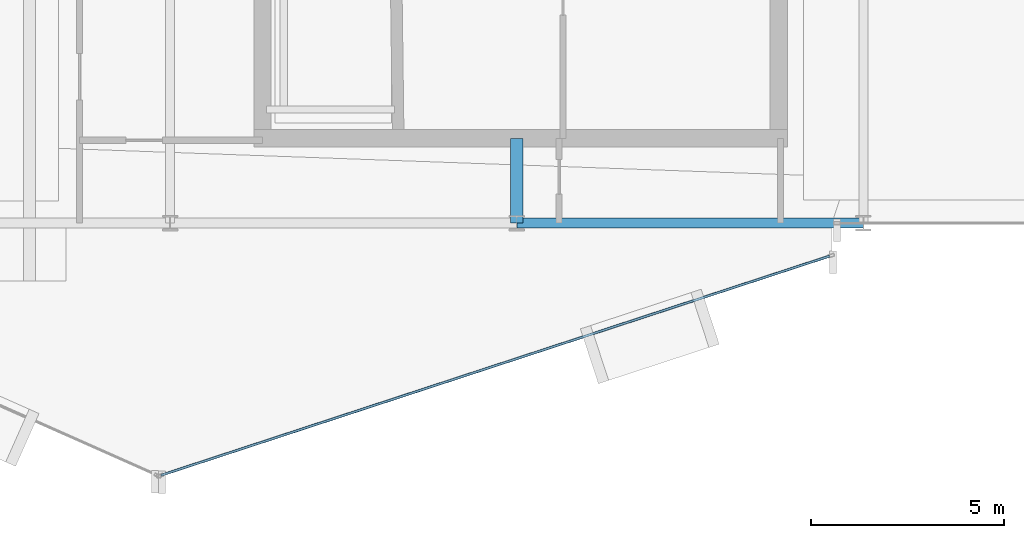
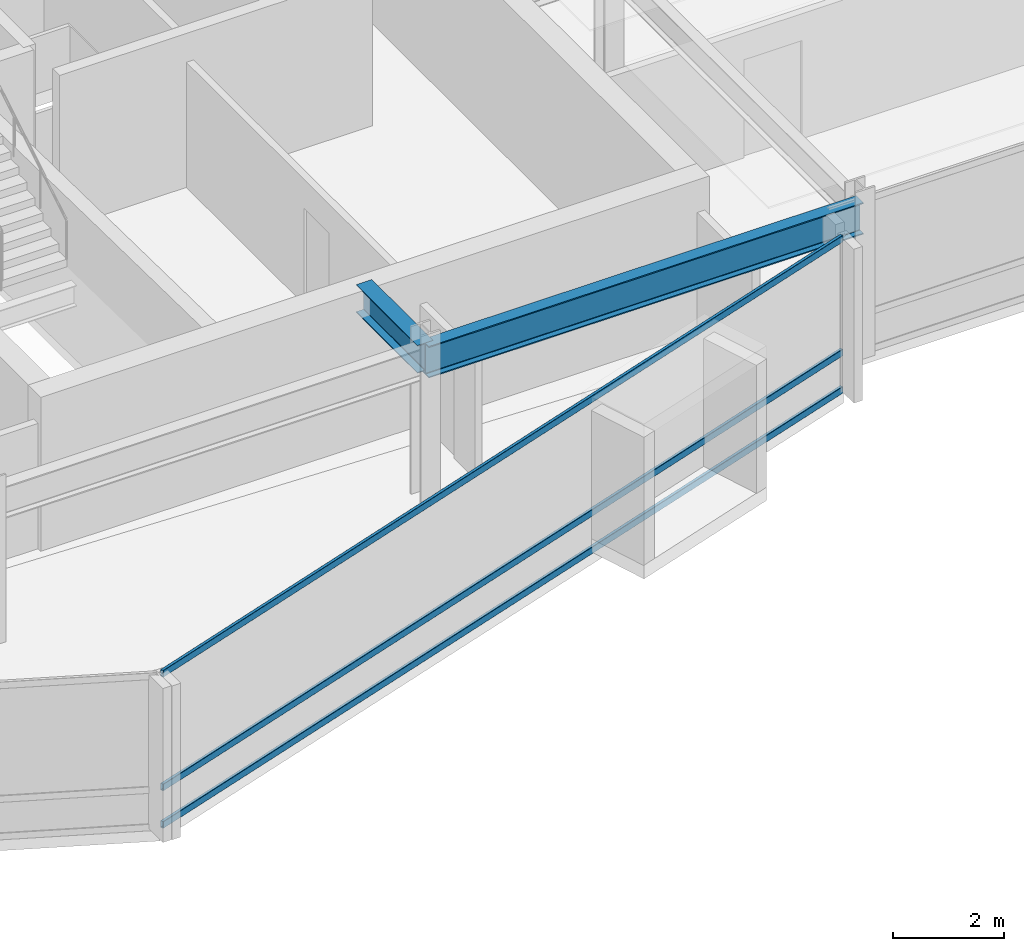
# One storey, part 9 of 27: 3 members, 2 beams, 1 element without a shape of its own.
"""IFC4 building model written with IfcOpenShell, lengths in metres."""

from ifc_helpers import new_model, si_unit, direction, frame, origin, origin_2d, place, context, subcontext, project, spatial, hollow_rectangle, i_section, extrude, material, layer, layer_set, material_profile, profile_set, type_object, element, aggregate, save


model = new_model("IFC4")

# Units and contexts
model_context = context("Model", 3, precision=1e-05, world=origin(), true_north=direction((0.0, 1.0)))
body_context = subcontext(model_context, "Body", "Model", "MODEL_VIEW")
ifc_project = project(units=[si_unit("LENGTHUNIT", "METRE"), si_unit("AREAUNIT", "SQUARE_METRE"), si_unit("VOLUMEUNIT", "CUBIC_METRE"), si_unit("PLANEANGLEUNIT", "RADIAN"), si_unit("MASSUNIT", "GRAM", prefix="KILO")], contexts=[model_context])

# Site, building, storey
site_placement = place(None, origin())
site = spatial("IfcSite", under=ifc_project, at=site_placement, CompositionType="ELEMENT")
building_placement = place(site_placement, origin())
building = spatial("IfcBuilding", under=site, at=building_placement, Name="Solvaryn Broadcast Tower", CompositionType="ELEMENT")
storey_placement = place(building_placement, frame((0.0, 0.0, 232.10009765625)))
storey = spatial("IfcBuildingStorey", under=building, at=storey_placement, Name="L58", CompositionType="ELEMENT", Elevation=232.10009765625)

# Beams
ifc_material_1 = material(Name="Steel ASTM A992 Grade 50", Category="steel")
ifc_material_profile_1 = material_profile(ifc_material_1, i_section(OverallWidth=0.323974609375, OverallDepth=0.611083984375, WebThickness=0.0126953125, FlangeThickness=0.01904296875, FilletRadius=0.014892578125, at=origin_2d()))
ifc_profile_set_1 = profile_set([ifc_material_profile_1], Name="Steel ASTM A992 Grade 50")
beam_type_1 = type_object("IfcBeamType", Name="BM-B1-W24X104", PredefinedType="BEAM", material=ifc_profile_set_1)
beam_1_placement = place(storey_placement, frame((36.0, 9.0, 3.064453125), z_axis=(0.0, 1.0, 0.0), x_axis=(-1.0, 0.0, 0.0)))
element("IfcBeam", 1, at=beam_1_placement, inside=storey, type_object=beam_type_1, Name="L58 Core Tie Beam CTE1", PredefinedType="BEAM", context=body_context, shape_type="SweptSolid", body=[
    extrude(i_section(OverallWidth=0.323974609375, OverallDepth=0.611083984375, WebThickness=0.0126953125, FlangeThickness=0.01904296875, FilletRadius=0.014892578125, at=origin_2d()), origin(), (0.0, 0.0, 1.0), 2.199951171875),
])
ifc_material_2 = material(Name="Steel ASTM A992 Grade 50", Category="steel")
ifc_material_profile_2 = material_profile(ifc_material_2, i_section(OverallWidth=0.256103515625, OverallDepth=0.693115234375, WebThickness=0.014404296875, FlangeThickness=0.023681640625, FilletRadius=0.01611328125, at=origin_2d()))
ifc_profile_set_2 = profile_set([ifc_material_profile_2], Name="Steel ASTM A992 Grade 50")
beam_type_2 = type_object("IfcBeamType", Name="BM-SP3-W27X114", PredefinedType="USERDEFINED", material=ifc_profile_set_2)
beam_2_placement = place(storey_placement, frame((36.0, 9.0, 3.0234375), z_axis=(1.0, 0.0, 0.0), x_axis=(0.0, 1.0, 0.0)))
element("IfcBeam", 2, at=beam_2_placement, inside=storey, type_object=beam_type_2, Name="L58 Spandrel Beam X (36-45 @ Y=9)", ObjectType="SPANDREL", PredefinedType="USERDEFINED", context=body_context, shape_type="SweptSolid", body=[
    extrude(i_section(OverallWidth=0.256103515625, OverallDepth=0.693115234375, WebThickness=0.014404296875, FlangeThickness=0.023681640625, FilletRadius=0.01611328125, at=origin_2d()), origin(), (0.0, 0.0, 1.0), 9.0),
])

# Curtain wall, members
ifc_material_3 = material(Name="Aluminium and Terracotta Unitised Curtain Wall", Category="masonry")
ifc_layer = layer(ifc_material_3, 0.199951171875)
ifc_layer_set = layer_set([ifc_layer], Name="CW-SYS2-LOWMID")
curtain_wall_type = type_object("IfcCurtainWallType", Name="CW-SYS2-LOWMID", PredefinedType="NOTDEFINED", material=ifc_layer_set)
curtain_wall_placement = place(storey_placement, origin())
curtain_wall = element("IfcCurtainWall", 3, at=curtain_wall_placement, inside=storey, type_object=curtain_wall_type, Name="L58 Curtain Wall DR4", PredefinedType="NOTDEFINED")
ifc_material_4 = material(Name="Anodised Aluminium 6063-T6", Category="aluminium")
ifc_material_profile_3 = material_profile(ifc_material_4, hollow_rectangle(XDim=0.06494140625, YDim=0.14990234375, WallThickness=0.00390625, InnerFilletRadius=0.00390625, OuterFilletRadius=0.008056640625, at=origin_2d()))
ifc_profile_set_3 = profile_set([ifc_material_profile_3], Name="Anodised Aluminium 6063-T6")
member_type = type_object("IfcMemberType", Name="CW-TRN-150", PredefinedType="USERDEFINED", material=ifc_profile_set_3)
member_1_placement = place(storey_placement, frame((26.762939453125, 2.45166015625, 0.02978515625), z_axis=(0.950227141586, 0.311557987209, 0.0), x_axis=(-0.311557987209, 0.950227141586, 0.0)))
member_1 = element("IfcMember", 4, at=member_1_placement, type_object=member_type, Name="CWS2 transom 1.1", ObjectType="TRANSOM", PredefinedType="USERDEFINED", context=body_context, shape_type="SweptSolid", body=[
    extrude(hollow_rectangle(XDim=0.06494140625, YDim=0.14990234375, WallThickness=0.00390625, InnerFilletRadius=0.00390625, OuterFilletRadius=0.008056640625, at=origin_2d()), origin(), (0.0, 0.0, 1.0), 18.271484375),
])
member_2_placement = place(storey_placement, frame((26.762939453125, 2.45166015625, 0.849853515625), z_axis=(0.950227141586, 0.311557987209, 0.0), x_axis=(-0.311557987209, 0.950227141586, 0.0)))
member_2 = element("IfcMember", 5, at=member_2_placement, type_object=member_type, Name="CWS2 transom 1.2", ObjectType="TRANSOM", PredefinedType="USERDEFINED", context=body_context, shape_type="SweptSolid", body=[
    extrude(hollow_rectangle(XDim=0.06494140625, YDim=0.14990234375, WallThickness=0.00390625, InnerFilletRadius=0.00390625, OuterFilletRadius=0.008056640625, at=origin_2d()), origin(), (0.0, 0.0, 1.0), 18.271484375),
])
member_3_placement = place(storey_placement, frame((26.762939453125, 2.45166015625, 3.33984375), z_axis=(0.950227141586, 0.311557987209, 0.0), x_axis=(-0.311557987209, 0.950227141586, 0.0)))
member_3 = element("IfcMember", 6, at=member_3_placement, type_object=member_type, Name="CWS2 transom 1.3", ObjectType="TRANSOM", PredefinedType="USERDEFINED", context=body_context, shape_type="SweptSolid", body=[
    extrude(hollow_rectangle(XDim=0.06494140625, YDim=0.14990234375, WallThickness=0.00390625, InnerFilletRadius=0.00390625, OuterFilletRadius=0.008056640625, at=origin_2d()), origin(), (0.0, 0.0, 1.0), 18.271484375),
])
aggregate(curtain_wall, [member_1, member_2, member_3])

save(model, "model.ifc")
